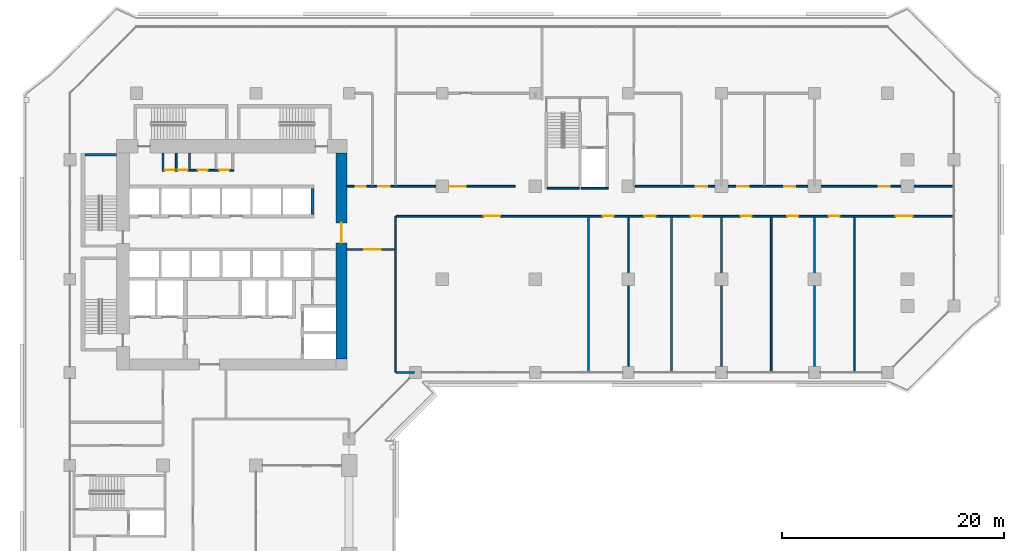
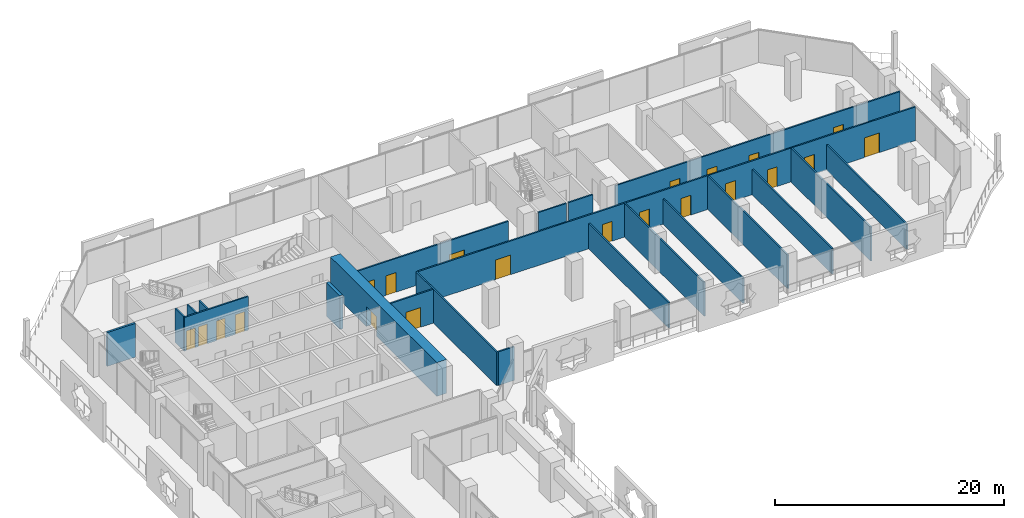
# One storey, part 15 of 25: 22 walls, 21 doors, 21 openings.
"""IFC4 building model written with IfcOpenShell, lengths in metres."""

from ifc_helpers import new_model, si_unit, direction, frame, frame_2d, origin, place, context, subcontext, project, spatial, rectangle, extrude, material, layer, layer_set, type_object, element, fill, save


model = new_model("IFC4")

# Units and contexts
model_context = context("Model", 3, precision=1e-05, world=origin(), true_north=direction((0.0, 1.0)))
body_context = subcontext(model_context, "Body", "Model", "MODEL_VIEW")
ifc_project = project(units=[si_unit("LENGTHUNIT", "METRE"), si_unit("AREAUNIT", "SQUARE_METRE"), si_unit("VOLUMEUNIT", "CUBIC_METRE"), si_unit("PLANEANGLEUNIT", "RADIAN"), si_unit("MASSUNIT", "GRAM", prefix="KILO")], contexts=[model_context])

# Site, building, storey
site_placement = place(None, origin())
site = spatial("IfcSite", under=ifc_project, at=site_placement, CompositionType="ELEMENT")
building_placement = place(site_placement, origin())
building = spatial("IfcBuilding", under=site, at=building_placement, Name="Kawkab Arch Medical Tower", CompositionType="ELEMENT")
storey_placement = place(building_placement, frame((0.0, 0.0, 98.800048828125)))
storey = spatial("IfcBuildingStorey", under=building, at=storey_placement, Name="L22", CompositionType="ELEMENT", Elevation=98.800048828125)

# Wall, opening, door
ifc_material_1 = material(Name="Concrete C60/75", Category="concrete")
ifc_layer_1 = layer(ifc_material_1, 1.0)
ifc_layer_set_1 = layer_set([ifc_layer_1], Name="Concrete C60/75")
wall_type_1 = type_object("IfcWallType", Name="Core ring wall 1000 C60/75", PredefinedType="SHEAR", material=ifc_layer_set_1)
wall_1_placement = place(storey_placement, frame((24.5, -24.0, 0.0), z_axis=(0.0, 0.0, 1.0), x_axis=(0.0, 1.0, 0.0)))
wall_1 = element("IfcWall", 1, at=wall_1_placement, inside=storey, type_object=wall_type_1, Name="L22 core wall", PredefinedType="SHEAR", context=body_context, shape_type="SweptSolid", body=[
    extrude(rectangle(XDim=18.60009765625, YDim=1.0, at=frame_2d((9.300048828125, 0.0))), origin(), (0.0, 0.0, 1.0), 3.599853515625),
])
opening_1_placement = place(wall_1_placement, frame((10.5, 0.0, 0.0)))
opening_1 = element("IfcOpeningElement", 2, at=opening_1_placement, cuts=wall_1, Name="Opening PD", PredefinedType="OPENING", context=body_context, shape_type="SweptSolid", body=[
    extrude(rectangle(XDim=1.800048828125, YDim=2.10009765625, at=frame_2d((0.89990234375, 1.050048828125))), frame((0.0, 0.510009765625, 0.0), z_axis=(0.0, -1.0, 0.0), x_axis=(1.0, 0.0, 0.0)), (0.0, 0.0, 1.0), 1.02001953125),
])
ifc_material_2 = material(Name="Hollow metal fire door leaf")
door_type_1 = type_object("IfcDoorType", Name="Core entrance doors 1800", OperationType="DOUBLE_DOOR_SINGLE_SWING", PredefinedType="DOOR", material=ifc_material_2)
door_1_placement = place(opening_1_placement, origin())
door_1 = element("IfcDoor", 3, at=door_1_placement, inside=storey, type_object=door_type_1, Name="L22 East entrance doors", OperationType="DOUBLE_DOOR_SINGLE_SWING", OverallHeight=2.10009765625, OverallWidth=1.800048828125, PredefinedType="DOOR", context=body_context, shape_type="SweptSolid", body=[
    extrude(rectangle(XDim=1.800048828125, YDim=2.10009765625, at=frame_2d((0.89990234375, 1.050048828125))), frame((0.0, 0.02490234375, 0.0), z_axis=(0.0, -1.0, 0.0), x_axis=(1.0, 0.0, 0.0)), (0.0, 0.0, 1.0), 0.050048828125),
])
fill(opening_1, door_1)

# Wall, openings, doors
ifc_material_3 = material(Name="Gypsum board on steel studs", Category="steel")
ifc_layer_2 = layer(ifc_material_3, 0.14990234375)
ifc_layer_set_2 = layer_set([ifc_layer_2], Name="Gypsum board on steel studs")
wall_type_2 = type_object("IfcWallType", Name="Core room partition 150", PredefinedType="PARTITIONING", material=ifc_layer_set_2)
wall_2_placement = place(storey_placement, frame((8.324951171875, -6.949951171875, 0.0), z_axis=(0.0, 0.0, 1.0), x_axis=(1.0, 0.0, 0.0)))
wall_2 = element("IfcWall", 4, at=wall_2_placement, inside=storey, type_object=wall_type_2, Name="L22 core room partition", PredefinedType="PARTITIONING", context=body_context, shape_type="SweptSolid", body=[
    extrude(rectangle(XDim=6.449951171875, YDim=0.14990234375, at=frame_2d((3.22509765625, 0.0))), origin(), (0.0, 0.0, 1.0), 3.599853515625),
])
opening_2_placement = place(wall_2_placement, frame((0.22509765625, 0.0, 0.0)))
opening_2 = element("IfcOpeningElement", 5, at=opening_2_placement, cuts=wall_2, Name="Opening RD", PredefinedType="OPENING", context=body_context, shape_type="SweptSolid", body=[
    extrude(rectangle(XDim=0.89990234375, YDim=2.10009765625, at=frame_2d((0.449951171875, 1.050048828125))), frame((0.0, 0.0849609375, 0.0), z_axis=(0.0, -1.0, 0.0), x_axis=(1.0, 0.0, 0.0)), (0.0, 0.0, 1.0), 0.169921875),
])
opening_3_placement = place(wall_2_placement, frame((1.425048828125, 0.0, 0.0)))
opening_3 = element("IfcOpeningElement", 6, at=opening_3_placement, cuts=wall_2, Name="Opening RD", PredefinedType="OPENING", context=body_context, shape_type="SweptSolid", body=[
    extrude(rectangle(XDim=0.89990234375, YDim=2.10009765625, at=frame_2d((0.449951171875, 1.050048828125))), frame((0.0, 0.0849609375, 0.0), z_axis=(0.0, -1.0, 0.0), x_axis=(1.0, 0.0, 0.0)), (0.0, 0.0, 1.0), 0.169921875),
])
opening_4_placement = place(wall_2_placement, frame((3.22509765625, 0.0, 0.0)))
opening_4 = element("IfcOpeningElement", 7, at=opening_4_placement, cuts=wall_2, Name="Opening RD", PredefinedType="OPENING", context=body_context, shape_type="SweptSolid", body=[
    extrude(rectangle(XDim=0.89990234375, YDim=2.10009765625, at=frame_2d((0.449951171875, 1.050048828125))), frame((0.0, 0.0849609375, 0.0), z_axis=(0.0, -1.0, 0.0), x_axis=(1.0, 0.0, 0.0)), (0.0, 0.0, 1.0), 0.169921875),
])
opening_5_placement = place(wall_2_placement, frame((5.175048828125, 0.0, 0.0)))
opening_5 = element("IfcOpeningElement", 8, at=opening_5_placement, cuts=wall_2, Name="Opening RD", PredefinedType="OPENING", context=body_context, shape_type="SweptSolid", body=[
    extrude(rectangle(XDim=0.89990234375, YDim=2.10009765625, at=frame_2d((0.449951171875, 1.050048828125))), frame((0.0, 0.0849609375, 0.0), z_axis=(0.0, -1.0, 0.0), x_axis=(1.0, 0.0, 0.0)), (0.0, 0.0, 1.0), 0.169921875),
])
ifc_material_4 = material(Name="Hollow metal fire door leaf")
door_type_2 = type_object("IfcDoorType", Name="Core room door 900", OperationType="SINGLE_SWING_LEFT", PredefinedType="DOOR", material=ifc_material_4)
door_2_placement = place(opening_2_placement, origin())
door_2 = element("IfcDoor", 9, at=door_2_placement, inside=storey, type_object=door_type_2, Name="L22 Electrical riser room door", OperationType="SINGLE_SWING_LEFT", OverallHeight=2.10009765625, OverallWidth=0.89990234375, PredefinedType="DOOR", context=body_context, shape_type="SweptSolid", body=[
    extrude(rectangle(XDim=0.89990234375, YDim=2.10009765625, at=frame_2d((0.449951171875, 1.050048828125))), frame((0.0, 0.02490234375, 0.0), z_axis=(0.0, -1.0, 0.0), x_axis=(1.0, 0.0, 0.0)), (0.0, 0.0, 1.0), 0.050048828125),
])
fill(opening_2, door_2)
door_3_placement = place(opening_3_placement, origin())
door_3 = element("IfcDoor", 10, at=door_3_placement, inside=storey, type_object=door_type_2, Name="L22 Medication store door", OperationType="SINGLE_SWING_LEFT", OverallHeight=2.10009765625, OverallWidth=0.89990234375, PredefinedType="DOOR", context=body_context, shape_type="SweptSolid", body=[
    extrude(rectangle(XDim=0.89990234375, YDim=2.10009765625, at=frame_2d((0.449951171875, 1.050048828125))), frame((0.0, 0.02490234375, 0.0), z_axis=(0.0, -1.0, 0.0), x_axis=(1.0, 0.0, 0.0)), (0.0, 0.0, 1.0), 0.050048828125),
])
fill(opening_3, door_3)
door_4_placement = place(opening_4_placement, origin())
door_4 = element("IfcDoor", 11, at=door_4_placement, inside=storey, type_object=door_type_2, Name="L22 Clean utility room door", OperationType="SINGLE_SWING_LEFT", OverallHeight=2.10009765625, OverallWidth=0.89990234375, PredefinedType="DOOR", context=body_context, shape_type="SweptSolid", body=[
    extrude(rectangle(XDim=0.89990234375, YDim=2.10009765625, at=frame_2d((0.449951171875, 1.050048828125))), frame((0.0, 0.02490234375, 0.0), z_axis=(0.0, -1.0, 0.0), x_axis=(1.0, 0.0, 0.0)), (0.0, 0.0, 1.0), 0.050048828125),
])
fill(opening_4, door_4)
door_5_placement = place(opening_5_placement, origin())
door_5 = element("IfcDoor", 12, at=door_5_placement, inside=storey, type_object=door_type_2, Name="L22 Dirty utility room door", OperationType="SINGLE_SWING_LEFT", OverallHeight=2.10009765625, OverallWidth=0.89990234375, PredefinedType="DOOR", context=body_context, shape_type="SweptSolid", body=[
    extrude(rectangle(XDim=0.89990234375, YDim=2.10009765625, at=frame_2d((0.449951171875, 1.050048828125))), frame((0.0, 0.02490234375, 0.0), z_axis=(0.0, -1.0, 0.0), x_axis=(1.0, 0.0, 0.0)), (0.0, 0.0, 1.0), 0.050048828125),
])
fill(opening_5, door_5)

# Walls
for number, where, z_axis, x_axis, name in (
    (13, (8.39990234375, -6.875, 0.0), (0.0, 0.0, 1.0), (0.0, 1.0, 0.0), "L22 core room partition"),
    (14, (9.60009765625, -6.875, 0.0), (0.0, 0.0, 1.0), (0.0, 1.0, 0.0), "L22 core room partition"),
    (15, (10.800048828125, -6.875, 0.0), (0.0, 0.0, 1.0), (0.0, 1.0, 0.0), "L22 core room partition"),
):
    element("IfcWall", number, at=place(storey_placement, frame(where, z_axis=z_axis, x_axis=x_axis)), inside=storey, type_object=wall_type_2, Name=name, PredefinedType="PARTITIONING", context=body_context, shape_type="SweptSolid", body=[
        extrude(rectangle(XDim=1.47509765625, YDim=0.14990234375, at=frame_2d((0.737548828125, 0.0))), origin(), (0.0, 0.0, 1.0), 3.599853515625),
    ])
ifc_material_5 = material(Name="Concrete C60/75", Category="concrete")
ifc_layer_3 = layer(ifc_material_5, 0.300048828125)
ifc_layer_set_3 = layer_set([ifc_layer_3], Name="Concrete C60/75")
wall_type_3 = type_object("IfcWallType", Name="Core shear wall 300 C60/75", PredefinedType="SHEAR", material=ifc_layer_set_3)
wall_3_placement = place(storey_placement, frame((21.89990234375, -10.949951171875, 0.0), z_axis=(0.0, 0.0, 1.0), x_axis=(0.0, 1.0, 0.0)))
element("IfcWall", 16, at=wall_3_placement, inside=storey, type_object=wall_type_3, Name="L22 core shear wall", PredefinedType="SHEAR", context=body_context, shape_type="SweptSolid", body=[
    extrude(rectangle(XDim=2.349853515625, YDim=0.300048828125, at=frame_2d((1.1748046875, 0.0))), origin(), (0.0, 0.0, 1.0), 3.599853515625),
])
ifc_material_6 = material(Name="Gypsum board partition on steel studs, mineral wool", Category="steel")
ifc_layer_4 = layer(ifc_material_6, 0.14990234375)
ifc_layer_set_4 = layer_set([ifc_layer_4], Name="Gypsum board partition on steel studs, mineral wool")
wall_type_4 = type_object("IfcWallType", Name="Partition 150", PredefinedType="PARTITIONING", material=ifc_layer_set_4)
wall_4_placement = place(storey_placement, frame((29.47509765625, -25.199951171875, 0.0), z_axis=(0.0, 0.0, 1.0), x_axis=(1.0, 0.0, 0.0)))
element("IfcWall", 17, at=wall_4_placement, inside=storey, type_object=wall_type_4, Name="Partition 150 w011", PredefinedType="PARTITIONING", context=body_context, shape_type="SweptSolid", body=[
    extrude(rectangle(XDim=1.61181640625, YDim=0.14990234375, at=frame_2d((0.805908203125, 0.0))), origin(), (0.0, 0.0, 1.0), 3.599853515625),
])

# Wall, opening, door
wall_5_placement = place(storey_placement, frame((25.0, -14.10009765625, 0.0), z_axis=(0.0, 0.0, 1.0), x_axis=(1.0, 0.0, 0.0)))
wall_5 = element("IfcWall", 18, at=wall_5_placement, inside=storey, type_object=wall_type_4, Name="Partition 150 w012", PredefinedType="PARTITIONING", context=body_context, shape_type="SweptSolid", body=[
    extrude(rectangle(XDim=4.324951171875, YDim=0.14990234375, at=frame_2d((2.16259765625, 0.0))), origin(), (0.0, 0.0, 1.0), 3.599853515625),
])
opening_6_placement = place(wall_5_placement, frame((1.550048828125, 0.0, 0.0)))
opening_6 = element("IfcOpeningElement", 19, at=opening_6_placement, cuts=wall_5, Name="Opening B22-001", PredefinedType="OPENING", context=body_context, shape_type="SweptSolid", body=[
    extrude(rectangle(XDim=1.5, YDim=2.10009765625, at=frame_2d((0.75, 1.050048828125))), frame((0.0, 0.0849609375, 0.0), z_axis=(0.0, -1.0, 0.0), x_axis=(1.0, 0.0, 0.0)), (0.0, 0.0, 1.0), 0.169921875),
])
ifc_material_7 = material(Name="Hollow metal door leaf")
door_type_3 = type_object("IfcDoorType", Name="Double door 1500x2100 FD30S", OperationType="NOTDEFINED", PredefinedType="DOOR", material=ifc_material_7)
door_6_placement = place(opening_6_placement, origin())
door_6 = element("IfcDoor", 20, at=door_6_placement, inside=storey, type_object=door_type_3, Name="Door B22-001", OperationType="DOUBLE_DOOR_SINGLE_SWING", OverallHeight=2.10009765625, OverallWidth=1.5, PredefinedType="DOOR", context=body_context, shape_type="SweptSolid", body=[
    extrude(rectangle(XDim=1.5, YDim=2.10009765625, at=frame_2d((0.75, 1.050048828125))), frame((0.0, 0.02490234375, 0.0), z_axis=(0.0, -1.0, 0.0), x_axis=(1.0, 0.0, 0.0)), (0.0, 0.0, 1.0), 0.050048828125),
])
fill(opening_6, door_6)

# Wall, openings, doors
wall_6_placement = place(storey_placement, frame((29.47509765625, -11.10009765625, 0.0), z_axis=(0.0, 0.0, 1.0), x_axis=(1.0, 0.0, 0.0)))
wall_6 = element("IfcWall", 21, at=wall_6_placement, inside=storey, type_object=wall_type_4, Name="Partition 150 w013", PredefinedType="PARTITIONING", context=body_context, shape_type="SweptSolid", body=[
    extrude(rectangle(XDim=50.244873046875, YDim=0.14990234375, at=frame_2d((25.12255859375, 0.0))), origin(), (0.0, 0.0, 1.0), 3.599853515625),
])
opening_7_placement = place(wall_6_placement, frame((7.875, 0.0, 0.0)))
opening_7 = element("IfcOpeningElement", 22, at=opening_7_placement, cuts=wall_6, Name="Opening B22-002", PredefinedType="OPENING", context=body_context, shape_type="SweptSolid", body=[
    extrude(rectangle(XDim=1.5, YDim=2.10009765625, at=frame_2d((0.75, 1.050048828125))), frame((0.0, 0.0849609375, 0.0), z_axis=(0.0, -1.0, 0.0), x_axis=(1.0, 0.0, 0.0)), (0.0, 0.0, 1.0), 0.169921875),
])
opening_8_placement = place(wall_6_placement, frame((18.625, 0.0, 0.0)))
opening_8 = element("IfcOpeningElement", 23, at=opening_8_placement, cuts=wall_6, Name="Opening B22-014", PredefinedType="OPENING", context=body_context, shape_type="SweptSolid", body=[
    extrude(rectangle(XDim=1.0, YDim=2.10009765625, at=frame_2d((0.5, 1.050048828125))), frame((0.0, 0.0849609375, 0.0), z_axis=(0.0, -1.0, 0.0), x_axis=(1.0, 0.0, 0.0)), (0.0, 0.0, 1.0), 0.169921875),
])
opening_9_placement = place(wall_6_placement, frame((22.375, 0.0, 0.0)))
opening_9 = element("IfcOpeningElement", 24, at=opening_9_placement, cuts=wall_6, Name="Opening B22-015", PredefinedType="OPENING", context=body_context, shape_type="SweptSolid", body=[
    extrude(rectangle(XDim=1.0, YDim=2.10009765625, at=frame_2d((0.5, 1.050048828125))), frame((0.0, 0.0849609375, 0.0), z_axis=(0.0, -1.0, 0.0), x_axis=(1.0, 0.0, 0.0)), (0.0, 0.0, 1.0), 0.169921875),
])
opening_10_placement = place(wall_6_placement, frame((26.574951171875, 0.0, 0.0)))
opening_10 = element("IfcOpeningElement", 25, at=opening_10_placement, cuts=wall_6, Name="Opening B22-016", PredefinedType="OPENING", context=body_context, shape_type="SweptSolid", body=[
    extrude(rectangle(XDim=1.0, YDim=2.10009765625, at=frame_2d((0.5, 1.050048828125))), frame((0.0, 0.0849609375, 0.0), z_axis=(0.0, -1.0, 0.0), x_axis=(1.0, 0.0, 0.0)), (0.0, 0.0, 1.0), 0.169921875),
])
opening_11_placement = place(wall_6_placement, frame((31.074951171875, 0.0, 0.0)))
opening_11 = element("IfcOpeningElement", 26, at=opening_11_placement, cuts=wall_6, Name="Opening B22-017", PredefinedType="OPENING", context=body_context, shape_type="SweptSolid", body=[
    extrude(rectangle(XDim=1.0, YDim=2.10009765625, at=frame_2d((0.5, 1.050048828125))), frame((0.0, 0.0849609375, 0.0), z_axis=(0.0, -1.0, 0.0), x_axis=(1.0, 0.0, 0.0)), (0.0, 0.0, 1.0), 0.169921875),
])
opening_12_placement = place(wall_6_placement, frame((35.27490234375, 0.0, 0.0)))
opening_12 = element("IfcOpeningElement", 27, at=opening_12_placement, cuts=wall_6, Name="Opening B22-018", PredefinedType="OPENING", context=body_context, shape_type="SweptSolid", body=[
    extrude(rectangle(XDim=1.0, YDim=2.10009765625, at=frame_2d((0.5, 1.050048828125))), frame((0.0, 0.0849609375, 0.0), z_axis=(0.0, -1.0, 0.0), x_axis=(1.0, 0.0, 0.0)), (0.0, 0.0, 1.0), 0.169921875),
])
opening_13_placement = place(wall_6_placement, frame((39.02490234375, 0.0, 0.0)))
opening_13 = element("IfcOpeningElement", 28, at=opening_13_placement, cuts=wall_6, Name="Opening B22-019", PredefinedType="OPENING", context=body_context, shape_type="SweptSolid", body=[
    extrude(rectangle(XDim=1.0, YDim=2.10009765625, at=frame_2d((0.5, 1.050048828125))), frame((0.0, 0.0849609375, 0.0), z_axis=(0.0, -1.0, 0.0), x_axis=(1.0, 0.0, 0.0)), (0.0, 0.0, 1.0), 0.169921875),
])
opening_14_placement = place(wall_6_placement, frame((45.074951171875, 0.0, 0.0)))
opening_14 = element("IfcOpeningElement", 29, at=opening_14_placement, cuts=wall_6, Name="Opening B22-003", PredefinedType="OPENING", context=body_context, shape_type="SweptSolid", body=[
    extrude(rectangle(XDim=1.5, YDim=2.10009765625, at=frame_2d((0.75, 1.050048828125))), frame((0.0, 0.0849609375, 0.0), z_axis=(0.0, -1.0, 0.0), x_axis=(1.0, 0.0, 0.0)), (0.0, 0.0, 1.0), 0.169921875),
])
door_7_placement = place(opening_7_placement, origin())
door_7 = element("IfcDoor", 30, at=door_7_placement, inside=storey, type_object=door_type_3, Name="Door B22-002", OperationType="DOUBLE_DOOR_SINGLE_SWING", OverallHeight=2.10009765625, OverallWidth=1.5, PredefinedType="DOOR", context=body_context, shape_type="SweptSolid", body=[
    extrude(rectangle(XDim=1.5, YDim=2.10009765625, at=frame_2d((0.75, 1.050048828125))), frame((0.0, 0.02490234375, 0.0), z_axis=(0.0, -1.0, 0.0), x_axis=(1.0, 0.0, 0.0)), (0.0, 0.0, 1.0), 0.050048828125),
])
fill(opening_7, door_7)
door_8_placement = place(opening_14_placement, origin())
door_8 = element("IfcDoor", 31, at=door_8_placement, inside=storey, type_object=door_type_3, Name="Door B22-003", OperationType="DOUBLE_DOOR_SINGLE_SWING", OverallHeight=2.10009765625, OverallWidth=1.5, PredefinedType="DOOR", context=body_context, shape_type="SweptSolid", body=[
    extrude(rectangle(XDim=1.5, YDim=2.10009765625, at=frame_2d((0.75, 1.050048828125))), frame((0.0, 0.02490234375, 0.0), z_axis=(0.0, -1.0, 0.0), x_axis=(1.0, 0.0, 0.0)), (0.0, 0.0, 1.0), 0.050048828125),
])
fill(opening_14, door_8)
ifc_material_8 = material(Name="Hollow metal door leaf")
door_type_4 = type_object("IfcDoorType", Name="Single door 1000x2100 FD30S", OperationType="NOTDEFINED", PredefinedType="DOOR", material=ifc_material_8)
door_9_placement = place(opening_8_placement, origin())
door_9 = element("IfcDoor", 32, at=door_9_placement, inside=storey, type_object=door_type_4, Name="Door B22-014", OperationType="SINGLE_SWING_RIGHT", OverallHeight=2.10009765625, OverallWidth=1.0, PredefinedType="DOOR", context=body_context, shape_type="SweptSolid", body=[
    extrude(rectangle(XDim=1.0, YDim=2.10009765625, at=frame_2d((0.5, 1.050048828125))), frame((0.0, 0.02490234375, 0.0), z_axis=(0.0, -1.0, 0.0), x_axis=(1.0, 0.0, 0.0)), (0.0, 0.0, 1.0), 0.050048828125),
])
fill(opening_8, door_9)
door_10_placement = place(opening_9_placement, origin())
door_10 = element("IfcDoor", 33, at=door_10_placement, inside=storey, type_object=door_type_4, Name="Door B22-015", OperationType="SINGLE_SWING_RIGHT", OverallHeight=2.10009765625, OverallWidth=1.0, PredefinedType="DOOR", context=body_context, shape_type="SweptSolid", body=[
    extrude(rectangle(XDim=1.0, YDim=2.10009765625, at=frame_2d((0.5, 1.050048828125))), frame((0.0, 0.02490234375, 0.0), z_axis=(0.0, -1.0, 0.0), x_axis=(1.0, 0.0, 0.0)), (0.0, 0.0, 1.0), 0.050048828125),
])
fill(opening_9, door_10)
door_11_placement = place(opening_10_placement, origin())
door_11 = element("IfcDoor", 34, at=door_11_placement, inside=storey, type_object=door_type_4, Name="Door B22-016", OperationType="SINGLE_SWING_LEFT", OverallHeight=2.10009765625, OverallWidth=1.0, PredefinedType="DOOR", context=body_context, shape_type="SweptSolid", body=[
    extrude(rectangle(XDim=1.0, YDim=2.10009765625, at=frame_2d((0.5, 1.050048828125))), frame((0.0, 0.02490234375, 0.0), z_axis=(0.0, -1.0, 0.0), x_axis=(1.0, 0.0, 0.0)), (0.0, 0.0, 1.0), 0.050048828125),
])
fill(opening_10, door_11)
door_12_placement = place(opening_11_placement, origin())
door_12 = element("IfcDoor", 35, at=door_12_placement, inside=storey, type_object=door_type_4, Name="Door B22-017", OperationType="SINGLE_SWING_LEFT", OverallHeight=2.10009765625, OverallWidth=1.0, PredefinedType="DOOR", context=body_context, shape_type="SweptSolid", body=[
    extrude(rectangle(XDim=1.0, YDim=2.10009765625, at=frame_2d((0.5, 1.050048828125))), frame((0.0, 0.02490234375, 0.0), z_axis=(0.0, -1.0, 0.0), x_axis=(1.0, 0.0, 0.0)), (0.0, 0.0, 1.0), 0.050048828125),
])
fill(opening_11, door_12)
door_13_placement = place(opening_12_placement, origin())
door_13 = element("IfcDoor", 36, at=door_13_placement, inside=storey, type_object=door_type_4, Name="Door B22-018", OperationType="SINGLE_SWING_LEFT", OverallHeight=2.10009765625, OverallWidth=1.0, PredefinedType="DOOR", context=body_context, shape_type="SweptSolid", body=[
    extrude(rectangle(XDim=1.0, YDim=2.10009765625, at=frame_2d((0.5, 1.050048828125))), frame((0.0, 0.02490234375, 0.0), z_axis=(0.0, -1.0, 0.0), x_axis=(1.0, 0.0, 0.0)), (0.0, 0.0, 1.0), 0.050048828125),
])
fill(opening_12, door_13)
door_14_placement = place(opening_13_placement, origin())
door_14 = element("IfcDoor", 37, at=door_14_placement, inside=storey, type_object=door_type_4, Name="Door B22-019", OperationType="SINGLE_SWING_LEFT", OverallHeight=2.10009765625, OverallWidth=1.0, PredefinedType="DOOR", context=body_context, shape_type="SweptSolid", body=[
    extrude(rectangle(XDim=1.0, YDim=2.10009765625, at=frame_2d((0.5, 1.050048828125))), frame((0.0, 0.02490234375, 0.0), z_axis=(0.0, -1.0, 0.0), x_axis=(1.0, 0.0, 0.0)), (0.0, 0.0, 1.0), 0.050048828125),
])
fill(opening_13, door_14)

wall_7_placement = place(storey_placement, frame((25.0, -8.39990234375, 0.0), z_axis=(0.0, 0.0, 1.0), x_axis=(1.0, 0.0, 0.0)))
wall_7 = element("IfcWall", 38, at=wall_7_placement, inside=storey, type_object=wall_type_4, Name="Partition 150 w014", PredefinedType="PARTITIONING", context=body_context, shape_type="SweptSolid", body=[
    extrude(rectangle(XDim=15.181884765625, YDim=0.14990234375, at=frame_2d((7.5908203125, 0.0))), origin(), (0.0, 0.0, 1.0), 3.599853515625),
])
opening_15_placement = place(wall_7_placement, frame((0.800048828125, 0.0, 0.0)))
opening_15 = element("IfcOpeningElement", 39, at=opening_15_placement, cuts=wall_7, Name="Opening B22-007", PredefinedType="OPENING", context=body_context, shape_type="SweptSolid", body=[
    extrude(rectangle(XDim=0.89990234375, YDim=2.10009765625, at=frame_2d((0.449951171875, 1.050048828125))), frame((0.0, 0.0849609375, 0.0), z_axis=(0.0, -1.0, 0.0), x_axis=(1.0, 0.0, 0.0)), (0.0, 0.0, 1.0), 0.169921875),
])
opening_16_placement = place(wall_7_placement, frame((2.85009765625, 0.0, 0.0)))
opening_16 = element("IfcOpeningElement", 40, at=opening_16_placement, cuts=wall_7, Name="Opening B22-008", PredefinedType="OPENING", context=body_context, shape_type="SweptSolid", body=[
    extrude(rectangle(XDim=1.0, YDim=2.10009765625, at=frame_2d((0.5, 1.050048828125))), frame((0.0, 0.0849609375, 0.0), z_axis=(0.0, -1.0, 0.0), x_axis=(1.0, 0.0, 0.0)), (0.0, 0.0, 1.0), 0.169921875),
])
opening_17_placement = place(wall_7_placement, frame((9.240966796875, 0.0, 0.0)))
opening_17 = element("IfcOpeningElement", 41, at=opening_17_placement, cuts=wall_7, Name="Opening B22-006", PredefinedType="OPENING", context=body_context, shape_type="SweptSolid", body=[
    extrude(rectangle(XDim=1.5, YDim=2.10009765625, at=frame_2d((0.75, 1.050048828125))), frame((0.0, 0.0849609375, 0.0), z_axis=(0.0, -1.0, 0.0), x_axis=(1.0, 0.0, 0.0)), (0.0, 0.0, 1.0), 0.169921875),
])
door_15_placement = place(opening_17_placement, origin())
door_15 = element("IfcDoor", 42, at=door_15_placement, inside=storey, type_object=door_type_3, Name="Door B22-006", OperationType="DOUBLE_DOOR_SINGLE_SWING", OverallHeight=2.10009765625, OverallWidth=1.5, PredefinedType="DOOR", context=body_context, shape_type="SweptSolid", body=[
    extrude(rectangle(XDim=1.5, YDim=2.10009765625, at=frame_2d((0.75, 1.050048828125))), frame((0.0, 0.02490234375, 0.0), z_axis=(0.0, -1.0, 0.0), x_axis=(1.0, 0.0, 0.0)), (0.0, 0.0, 1.0), 0.050048828125),
])
fill(opening_17, door_15)
ifc_material_9 = material(Name="Timber door leaf", Category="wood")
door_type_5 = type_object("IfcDoorType", Name="Single door 1000x2100", OperationType="NOTDEFINED", PredefinedType="DOOR", material=ifc_material_9)
door_16_placement = place(opening_16_placement, origin())
door_16 = element("IfcDoor", 43, at=door_16_placement, inside=storey, type_object=door_type_5, Name="Door B22-008", OperationType="SINGLE_SWING_LEFT", OverallHeight=2.10009765625, OverallWidth=1.0, PredefinedType="DOOR", context=body_context, shape_type="SweptSolid", body=[
    extrude(rectangle(XDim=1.0, YDim=2.10009765625, at=frame_2d((0.5, 1.050048828125))), frame((0.0, 0.02490234375, 0.0), z_axis=(0.0, -1.0, 0.0), x_axis=(1.0, 0.0, 0.0)), (0.0, 0.0, 1.0), 0.050048828125),
])
fill(opening_16, door_16)
ifc_material_10 = material(Name="Timber door leaf", Category="wood")
door_type_6 = type_object("IfcDoorType", Name="Single door 900x2100", OperationType="NOTDEFINED", PredefinedType="DOOR", material=ifc_material_10)
door_17_placement = place(opening_15_placement, origin())
door_17 = element("IfcDoor", 44, at=door_17_placement, inside=storey, type_object=door_type_6, Name="Door B22-007", OperationType="SINGLE_SWING_LEFT", OverallHeight=2.10009765625, OverallWidth=0.89990234375, PredefinedType="DOOR", context=body_context, shape_type="SweptSolid", body=[
    extrude(rectangle(XDim=0.89990234375, YDim=2.10009765625, at=frame_2d((0.449951171875, 1.050048828125))), frame((0.0, 0.02490234375, 0.0), z_axis=(0.0, -1.0, 0.0), x_axis=(1.0, 0.0, 0.0)), (0.0, 0.0, 1.0), 0.050048828125),
])
fill(opening_15, door_17)

wall_8_placement = place(storey_placement, frame((51.0, -8.39990234375, 0.0), z_axis=(0.0, 0.0, 1.0), x_axis=(1.0, 0.0, 0.0)))
wall_8 = element("IfcWall", 45, at=wall_8_placement, inside=storey, type_object=wall_type_4, Name="Partition 150 w015", PredefinedType="PARTITIONING", context=body_context, shape_type="SweptSolid", body=[
    extrude(rectangle(XDim=28.719970703125, YDim=0.14990234375, at=frame_2d((14.35986328125, 0.0))), origin(), (0.0, 0.0, 1.0), 3.599853515625),
])
opening_18_placement = place(wall_8_placement, frame((5.5, 0.0, 0.0)))
opening_18 = element("IfcOpeningElement", 46, at=opening_18_placement, cuts=wall_8, Name="Opening B22-010", PredefinedType="OPENING", context=body_context, shape_type="SweptSolid", body=[
    extrude(rectangle(XDim=1.0, YDim=2.10009765625, at=frame_2d((0.5, 1.050048828125))), frame((0.0, 0.0849609375, 0.0), z_axis=(0.0, -1.0, 0.0), x_axis=(1.0, 0.0, 0.0)), (0.0, 0.0, 1.0), 0.169921875),
])
opening_19_placement = place(wall_8_placement, frame((9.25, 0.0, 0.0)))
opening_19 = element("IfcOpeningElement", 47, at=opening_19_placement, cuts=wall_8, Name="Opening B22-011", PredefinedType="OPENING", context=body_context, shape_type="SweptSolid", body=[
    extrude(rectangle(XDim=1.0, YDim=2.10009765625, at=frame_2d((0.5, 1.050048828125))), frame((0.0, 0.0849609375, 0.0), z_axis=(0.0, -1.0, 0.0), x_axis=(1.0, 0.0, 0.0)), (0.0, 0.0, 1.0), 0.169921875),
])
opening_20_placement = place(wall_8_placement, frame((13.449951171875, 0.0, 0.0)))
opening_20 = element("IfcOpeningElement", 48, at=opening_20_placement, cuts=wall_8, Name="Opening B22-012", PredefinedType="OPENING", context=body_context, shape_type="SweptSolid", body=[
    extrude(rectangle(XDim=1.0, YDim=2.10009765625, at=frame_2d((0.5, 1.050048828125))), frame((0.0, 0.0849609375, 0.0), z_axis=(0.0, -1.0, 0.0), x_axis=(1.0, 0.0, 0.0)), (0.0, 0.0, 1.0), 0.169921875),
])
opening_21_placement = place(wall_8_placement, frame((22.0, 0.0, 0.0)))
opening_21 = element("IfcOpeningElement", 49, at=opening_21_placement, cuts=wall_8, Name="Opening B22-013", PredefinedType="OPENING", context=body_context, shape_type="SweptSolid", body=[
    extrude(rectangle(XDim=1.0, YDim=2.10009765625, at=frame_2d((0.5, 1.050048828125))), frame((0.0, 0.0849609375, 0.0), z_axis=(0.0, -1.0, 0.0), x_axis=(1.0, 0.0, 0.0)), (0.0, 0.0, 1.0), 0.169921875),
])
door_18_placement = place(opening_18_placement, origin())
door_18 = element("IfcDoor", 50, at=door_18_placement, inside=storey, type_object=door_type_4, Name="Door B22-010", OperationType="SINGLE_SWING_LEFT", OverallHeight=2.10009765625, OverallWidth=1.0, PredefinedType="DOOR", context=body_context, shape_type="SweptSolid", body=[
    extrude(rectangle(XDim=1.0, YDim=2.10009765625, at=frame_2d((0.5, 1.050048828125))), frame((0.0, 0.02490234375, 0.0), z_axis=(0.0, -1.0, 0.0), x_axis=(1.0, 0.0, 0.0)), (0.0, 0.0, 1.0), 0.050048828125),
])
fill(opening_18, door_18)
door_19_placement = place(opening_19_placement, origin())
door_19 = element("IfcDoor", 51, at=door_19_placement, inside=storey, type_object=door_type_4, Name="Door B22-011", OperationType="SINGLE_SWING_LEFT", OverallHeight=2.10009765625, OverallWidth=1.0, PredefinedType="DOOR", context=body_context, shape_type="SweptSolid", body=[
    extrude(rectangle(XDim=1.0, YDim=2.10009765625, at=frame_2d((0.5, 1.050048828125))), frame((0.0, 0.02490234375, 0.0), z_axis=(0.0, -1.0, 0.0), x_axis=(1.0, 0.0, 0.0)), (0.0, 0.0, 1.0), 0.050048828125),
])
fill(opening_19, door_19)
door_20_placement = place(opening_20_placement, origin())
door_20 = element("IfcDoor", 52, at=door_20_placement, inside=storey, type_object=door_type_4, Name="Door B22-012", OperationType="SINGLE_SWING_LEFT", OverallHeight=2.10009765625, OverallWidth=1.0, PredefinedType="DOOR", context=body_context, shape_type="SweptSolid", body=[
    extrude(rectangle(XDim=1.0, YDim=2.10009765625, at=frame_2d((0.5, 1.050048828125))), frame((0.0, 0.02490234375, 0.0), z_axis=(0.0, -1.0, 0.0), x_axis=(1.0, 0.0, 0.0)), (0.0, 0.0, 1.0), 0.050048828125),
])
fill(opening_20, door_20)
door_21_placement = place(opening_21_placement, origin())
door_21 = element("IfcDoor", 53, at=door_21_placement, inside=storey, type_object=door_type_4, Name="Door B22-013", OperationType="SINGLE_SWING_RIGHT", OverallHeight=2.10009765625, OverallWidth=1.0, PredefinedType="DOOR", context=body_context, shape_type="SweptSolid", body=[
    extrude(rectangle(XDim=1.0, YDim=2.10009765625, at=frame_2d((0.5, 1.050048828125))), frame((0.0, 0.02490234375, 0.0), z_axis=(0.0, -1.0, 0.0), x_axis=(1.0, 0.0, 0.0)), (0.0, 0.0, 1.0), 0.050048828125),
])
fill(opening_21, door_21)

# Walls
wall_9_placement = place(storey_placement, frame((29.39990234375, -25.199951171875, 0.0), z_axis=(0.0, 0.0, 1.0), x_axis=(0.0, 1.0, 0.0)))
element("IfcWall", 54, at=wall_9_placement, inside=storey, type_object=wall_type_4, Name="Partition 150 w028", PredefinedType="PARTITIONING", context=body_context, shape_type="SweptSolid", body=[
    extrude(rectangle(XDim=14.099853515625, YDim=0.14990234375, at=frame_2d((7.0498046875, 0.0))), origin(), (0.0, 0.0, 1.0), 3.599853515625),
])
wall_10_placement = place(storey_placement, frame((46.800048828125, -25.1201171875, 0.0), z_axis=(0.0, 0.0, 1.0), x_axis=(0.0, 1.0, 0.0)))
element("IfcWall", 55, at=wall_10_placement, inside=storey, type_object=wall_type_4, Name="Partition 150 w033", PredefinedType="PARTITIONING", context=body_context, shape_type="SweptSolid", body=[
    extrude(rectangle(XDim=13.945068359375, YDim=0.14990234375, at=frame_2d((6.97265625, 0.0))), origin(), (0.0, 0.0, 1.0), 2.699951171875),
])
wall_11_placement = place(storey_placement, frame((50.39990234375, -25.1201171875, 0.0), z_axis=(0.0, 0.0, 1.0), x_axis=(0.0, 1.0, 0.0)))
element("IfcWall", 56, at=wall_11_placement, inside=storey, type_object=wall_type_4, Name="Partition 150 w034", PredefinedType="PARTITIONING", context=body_context, shape_type="SweptSolid", body=[
    extrude(rectangle(XDim=13.945068359375, YDim=0.14990234375, at=frame_2d((6.97265625, 0.0))), origin(), (0.0, 0.0, 1.0), 3.599853515625),
])
wall_12_placement = place(storey_placement, frame((54.300048828125, -25.1201171875, 0.0), z_axis=(0.0, 0.0, 1.0), x_axis=(0.0, 1.0, 0.0)))
element("IfcWall", 57, at=wall_12_placement, inside=storey, type_object=wall_type_4, Name="Partition 150 w037", PredefinedType="PARTITIONING", context=body_context, shape_type="SweptSolid", body=[
    extrude(rectangle(XDim=13.945068359375, YDim=0.14990234375, at=frame_2d((6.97265625, 0.0))), origin(), (0.0, 0.0, 1.0), 2.699951171875),
])
wall_13_placement = place(storey_placement, frame((58.800048828125, -25.1201171875, 0.0), z_axis=(0.0, 0.0, 1.0), x_axis=(0.0, 1.0, 0.0)))
element("IfcWall", 58, at=wall_13_placement, inside=storey, type_object=wall_type_4, Name="Partition 150 w039", PredefinedType="PARTITIONING", context=body_context, shape_type="SweptSolid", body=[
    extrude(rectangle(XDim=13.945068359375, YDim=0.14990234375, at=frame_2d((6.97265625, 0.0))), origin(), (0.0, 0.0, 1.0), 3.599853515625),
])
wall_14_placement = place(storey_placement, frame((63.300048828125, -25.1201171875, 0.0), z_axis=(0.0, 0.0, 1.0), x_axis=(0.0, 1.0, 0.0)))
element("IfcWall", 59, at=wall_14_placement, inside=storey, type_object=wall_type_4, Name="Partition 150 w042", PredefinedType="PARTITIONING", context=body_context, shape_type="SweptSolid", body=[
    extrude(rectangle(XDim=13.945068359375, YDim=0.14990234375, at=frame_2d((6.97265625, 0.0))), origin(), (0.0, 0.0, 1.0), 2.699951171875),
])
wall_15_placement = place(storey_placement, frame((67.199951171875, -25.1201171875, 0.0), z_axis=(0.0, 0.0, 1.0), x_axis=(0.0, 1.0, 0.0)))
element("IfcWall", 60, at=wall_15_placement, inside=storey, type_object=wall_type_4, Name="Partition 150 w043", PredefinedType="PARTITIONING", context=body_context, shape_type="SweptSolid", body=[
    extrude(rectangle(XDim=13.945068359375, YDim=0.14990234375, at=frame_2d((6.97265625, 0.0))), origin(), (0.0, 0.0, 1.0), 3.599853515625),
])
wall_16_placement = place(storey_placement, frame((70.800048828125, -25.1201171875, 0.0), z_axis=(0.0, 0.0, 1.0), x_axis=(0.0, 1.0, 0.0)))
element("IfcWall", 61, at=wall_16_placement, inside=storey, type_object=wall_type_4, Name="Partition 150 w045", PredefinedType="PARTITIONING", context=body_context, shape_type="SweptSolid", body=[
    extrude(rectangle(XDim=13.945068359375, YDim=0.14990234375, at=frame_2d((6.97265625, 0.0))), origin(), (0.0, 0.0, 1.0), 2.699951171875),
])
ifc_material_11 = material(Name="Concrete C50/60", Category="concrete")
ifc_layer_5 = layer(ifc_material_11, 0.14990234375)
ifc_layer_set_5 = layer_set([ifc_layer_5], Name="Concrete C50/60")
wall_type_5 = type_object("IfcWallType", Name="Stair enclosure wall 150 C50/60", PredefinedType="SHEAR", material=ifc_layer_set_5)
wall_17_placement = place(storey_placement, frame((43.10009765625, -8.574951171875, 0.0), z_axis=(0.0, 0.0, 1.0), x_axis=(1.0, 0.0, 0.0)))
element("IfcWall", 62, at=wall_17_placement, inside=storey, type_object=wall_type_5, Name="L22 stair enclosure wall", PredefinedType="SHEAR", context=body_context, shape_type="SweptSolid", body=[
    extrude(rectangle(XDim=2.849853515625, YDim=0.14990234375, at=frame_2d((1.4248046875, 0.0))), origin(), (0.0, 0.0, 1.0), 3.599853515625),
])
wall_18_placement = place(storey_placement, frame((46.14990234375, -8.574951171875, 0.0), z_axis=(0.0, 0.0, 1.0), x_axis=(1.0, 0.0, 0.0)))
element("IfcWall", 63, at=wall_18_placement, inside=storey, type_object=wall_type_5, Name="L22 stair enclosure wall", PredefinedType="SHEAR", context=body_context, shape_type="SweptSolid", body=[
    extrude(rectangle(XDim=2.4501953125, YDim=0.14990234375, at=frame_2d((1.22509765625, 0.0))), origin(), (0.0, 0.0, 1.0), 3.599853515625),
])
ifc_material_12 = material(Name="Concrete C50/60", Category="concrete")
ifc_layer_6 = layer(ifc_material_12, 0.199951171875)
ifc_layer_set_6 = layer_set([ifc_layer_6], Name="Concrete C50/60")
wall_type_6 = type_object("IfcWallType", Name="Stair enclosure wall 200 C50/60", PredefinedType="SHEAR", material=ifc_layer_set_6)
wall_19_placement = place(storey_placement, frame((1.35009765625, -5.550048828125, 0.0), z_axis=(0.0, 0.0, 1.0), x_axis=(1.0, 0.0, 0.0)))
element("IfcWall", 64, at=wall_19_placement, inside=storey, type_object=wall_type_6, Name="L22 stair enclosure wall", PredefinedType="SHEAR", context=body_context, shape_type="SweptSolid", body=[
    extrude(rectangle(XDim=2.849853515625, YDim=0.199951171875, at=frame_2d((1.4248046875, 0.0))), origin(), (0.0, 0.0, 1.0), 3.599853515625),
])

save(model, "model.ifc")
